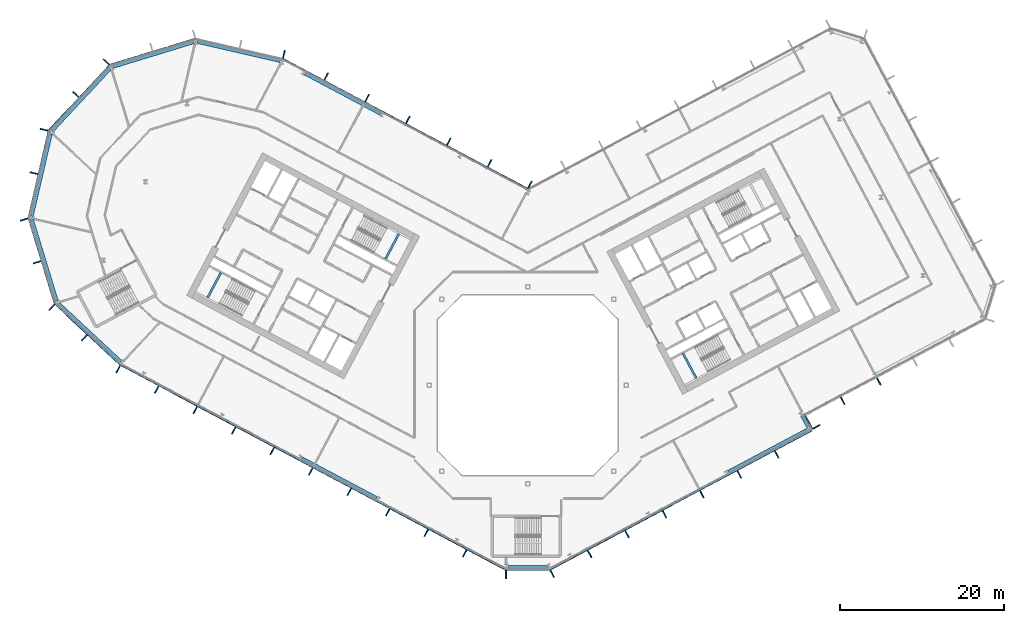
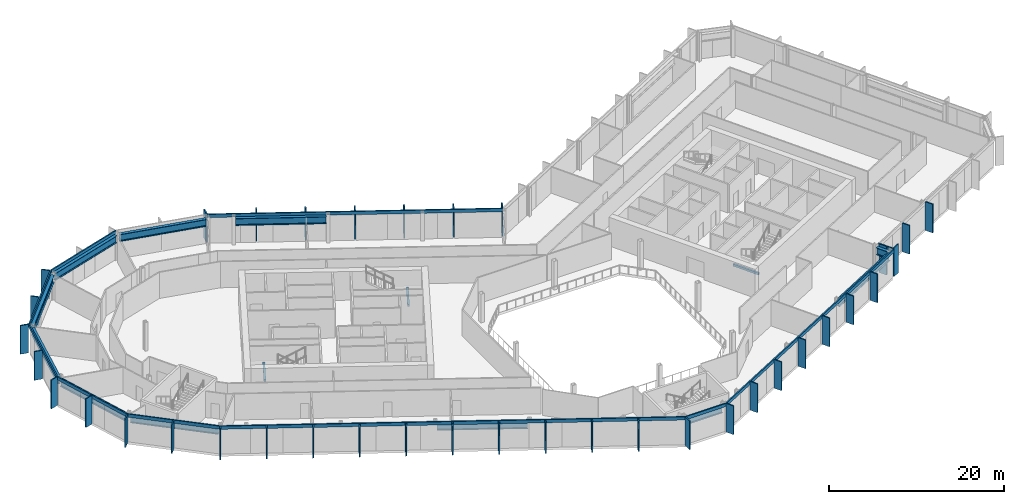
# One storey, part 9 of 28: 47 members, 14 beams, 12 elements without a shape of their own.
"""IFC4 building model written with IfcOpenShell, lengths in metres."""

from ifc_helpers import new_model, si_unit, direction, frame, origin, origin_2d, place, context, subcontext, project, spatial, rectangle, i_section, extrude, material, layer, layer_set, material_profile, profile_set, type_object, element, aggregate, save


model = new_model("IFC4")

# Units and contexts
model_context = context("Model", 3, precision=1e-05, world=origin(), true_north=direction((0.0, 1.0)))
body_context = subcontext(model_context, "Body", "Model", "MODEL_VIEW")
ifc_project = project(units=[si_unit("LENGTHUNIT", "METRE"), si_unit("AREAUNIT", "SQUARE_METRE"), si_unit("VOLUMEUNIT", "CUBIC_METRE"), si_unit("PLANEANGLEUNIT", "RADIAN"), si_unit("MASSUNIT", "GRAM", prefix="KILO")], contexts=[model_context])

# Site, building, storey
site_placement = place(None, origin())
site = spatial("IfcSite", under=ifc_project, at=site_placement, CompositionType="ELEMENT")
building_placement = place(site_placement, origin())
building = spatial("IfcBuilding", under=site, at=building_placement, Name="Cormorant Relay Tower", CompositionType="ELEMENT")
storey_placement = place(building_placement, frame((0.0, 0.0, 138.199951171875)))
storey = spatial("IfcBuildingStorey", under=building, at=storey_placement, Name="L28", CompositionType="ELEMENT", Elevation=138.199951171875)

# Curtain wall, member
ifc_material_1 = material(Name="Aluminium 6063-T6 anodised bronze", Category="aluminium")
ifc_layer = layer(ifc_material_1, 0.199951171875)
ifc_layer_set = layer_set([ifc_layer], Name="CW1 unitised bronze curtain wall with vertical fins")
curtain_wall_type = type_object("IfcCurtainWallType", Name="CW1 unitised bronze curtain wall with vertical fins", PredefinedType="NOTDEFINED", material=ifc_layer_set)
curtain_wall_1_placement = place(storey_placement, origin())
curtain_wall_1 = element("IfcCurtainWall", 1, at=curtain_wall_1_placement, inside=storey, type_object=curtain_wall_type, Name="CW1 curtain wall 1", PredefinedType="NOTDEFINED")
ifc_material_2 = material(Name="Aluminium 6063-T6 anodised bronze", Category="aluminium")
ifc_material_profile_1 = material_profile(ifc_material_2, rectangle(XDim=0.14990234375, YDim=1.0, at=origin_2d()), Name="AL 150x1000")
ifc_profile_set_1 = profile_set([ifc_material_profile_1], Name="Aluminium 6063-T6 anodised bronze")
member_type_1 = type_object("IfcMemberType", Name="CW1 bronze fin mullion 150 x 1000", PredefinedType="MULLION", material=ifc_profile_set_1)
member_1_placement = place(storey_placement, frame((-2.648681640625, -23.07568359375, 0.0), z_axis=(0.0, 0.0, 1.0), x_axis=(1.0, 0.0, 0.0)))
member_1 = element("IfcMember", 2, at=member_1_placement, type_object=member_type_1, Name="CW1 fin 1.1", PredefinedType="MULLION", context=body_context, shape_type="SweptSolid", body=[
    extrude(rectangle(XDim=0.14990234375, YDim=1.0, at=origin_2d()), origin(), (0.0, 0.0, 1.0), 4.0),
])

# Curtain wall, members
curtain_wall_2_placement = place(storey_placement, origin())
curtain_wall_2 = element("IfcCurtainWall", 3, at=curtain_wall_2_placement, inside=storey, type_object=curtain_wall_type, Name="CW1 curtain wall 2", PredefinedType="NOTDEFINED")
member_2_placement = place(storey_placement, frame((2.9775390625, -22.99365234375, 0.0), z_axis=(0.0, 0.0, 1.0), x_axis=(0.882947592859, 0.469471562786, 0.0)))
member_2 = element("IfcMember", 4, at=member_2_placement, type_object=member_type_1, Name="CW1 fin 2.1", PredefinedType="MULLION", context=body_context, shape_type="SweptSolid", body=[
    extrude(rectangle(XDim=0.14990234375, YDim=1.0, at=origin_2d()), origin(), (0.0, 0.0, 1.0), 4.0),
])
member_3_placement = place(storey_placement, frame((7.539306640625, -20.568115234375, 0.0), z_axis=(0.0, 0.0, 1.0), x_axis=(0.882947592859, 0.469471562786, 0.0)))
member_3 = element("IfcMember", 5, at=member_3_placement, type_object=member_type_1, Name="CW1 fin 2.2", PredefinedType="MULLION", context=body_context, shape_type="SweptSolid", body=[
    extrude(rectangle(XDim=0.14990234375, YDim=1.0, at=origin_2d()), origin(), (0.0, 0.0, 1.0), 4.0),
])
member_4_placement = place(storey_placement, frame((12.10107421875, -18.142578125, 0.0), z_axis=(0.0, 0.0, 1.0), x_axis=(0.882947592859, 0.469471562786, 0.0)))
member_4 = element("IfcMember", 6, at=member_4_placement, type_object=member_type_1, Name="CW1 fin 2.3", PredefinedType="MULLION", context=body_context, shape_type="SweptSolid", body=[
    extrude(rectangle(XDim=0.14990234375, YDim=1.0, at=origin_2d()), origin(), (0.0, 0.0, 1.0), 4.0),
])
member_5_placement = place(storey_placement, frame((16.662841796875, -15.717041015625, 0.0), z_axis=(0.0, 0.0, 1.0), x_axis=(0.882947592859, 0.469471562786, 0.0)))
member_5 = element("IfcMember", 7, at=member_5_placement, type_object=member_type_1, Name="CW1 fin 2.4", PredefinedType="MULLION", context=body_context, shape_type="SweptSolid", body=[
    extrude(rectangle(XDim=0.14990234375, YDim=1.0, at=origin_2d()), origin(), (0.0, 0.0, 1.0), 4.0),
])
member_6_placement = place(storey_placement, frame((21.224609375, -13.29150390625, 0.0), z_axis=(0.0, 0.0, 1.0), x_axis=(0.882947592859, 0.469471562786, 0.0)))
member_6 = element("IfcMember", 8, at=member_6_placement, type_object=member_type_1, Name="CW1 fin 2.5", PredefinedType="MULLION", context=body_context, shape_type="SweptSolid", body=[
    extrude(rectangle(XDim=0.14990234375, YDim=1.0, at=origin_2d()), origin(), (0.0, 0.0, 1.0), 4.0),
])
member_7_placement = place(storey_placement, frame((25.78662109375, -10.865966796875, 0.0), z_axis=(0.0, 0.0, 1.0), x_axis=(0.882947592859, 0.469471562786, 0.0)))
member_7 = element("IfcMember", 9, at=member_7_placement, type_object=member_type_1, Name="CW1 fin 2.6", PredefinedType="MULLION", context=body_context, shape_type="SweptSolid", body=[
    extrude(rectangle(XDim=0.14990234375, YDim=1.0, at=origin_2d()), origin(), (0.0, 0.0, 1.0), 4.0),
])
member_8_placement = place(storey_placement, frame((30.348388671875, -8.440185546875, 0.0), z_axis=(0.0, 0.0, 1.0), x_axis=(0.882947592859, 0.469471562786, 0.0)))
member_8 = element("IfcMember", 10, at=member_8_placement, type_object=member_type_1, Name="CW1 fin 2.7", PredefinedType="MULLION", context=body_context, shape_type="SweptSolid", body=[
    extrude(rectangle(XDim=0.14990234375, YDim=1.0, at=origin_2d()), origin(), (0.0, 0.0, 1.0), 4.0),
])

# Curtain wall, member
curtain_wall_3_placement = place(storey_placement, origin())
curtain_wall_3 = element("IfcCurtainWall", 11, at=curtain_wall_3_placement, inside=storey, type_object=curtain_wall_type, Name="CW1 curtain wall 3", PredefinedType="NOTDEFINED")
member_9_placement = place(storey_placement, frame((35.199462890625, -5.068115234375, 0.0), z_axis=(0.0, 0.0, 1.0), x_axis=(-0.469471562786, 0.882947592859, 0.0)))
member_9 = element("IfcMember", 12, at=member_9_placement, type_object=member_type_1, Name="CW1 fin 3.1", PredefinedType="MULLION", context=body_context, shape_type="SweptSolid", body=[
    extrude(rectangle(XDim=0.14990234375, YDim=1.0, at=origin_2d()), origin(), (0.0, 0.0, 1.0), 4.0),
])

# Curtain wall, members
curtain_wall_4_placement = place(storey_placement, origin())
curtain_wall_4 = element("IfcCurtainWall", 13, at=curtain_wall_4_placement, inside=storey, type_object=curtain_wall_type, Name="CW1 curtain wall 4", PredefinedType="NOTDEFINED")
member_10_placement = place(storey_placement, frame((34.037353515625, -4.213623046875, 0.0), z_axis=(0.0, 0.0, 1.0), x_axis=(0.882947592859, 0.469471562786, 0.0)))
member_10 = element("IfcMember", 14, at=member_10_placement, type_object=member_type_1, Name="CW1 fin 4.1", PredefinedType="MULLION", context=body_context, shape_type="SweptSolid", body=[
    extrude(rectangle(XDim=0.14990234375, YDim=1.0, at=origin_2d()), origin(), (0.0, 0.0, 1.0), 4.0),
])
member_11_placement = place(storey_placement, frame((38.385986328125, -1.901611328125, 0.0), z_axis=(0.0, 0.0, 1.0), x_axis=(0.882947592859, 0.469471562786, 0.0)))
member_11 = element("IfcMember", 15, at=member_11_placement, type_object=member_type_1, Name="CW1 fin 4.2", PredefinedType="MULLION", context=body_context, shape_type="SweptSolid", body=[
    extrude(rectangle(XDim=0.14990234375, YDim=1.0, at=origin_2d()), origin(), (0.0, 0.0, 1.0), 4.0),
])
member_12_placement = place(storey_placement, frame((42.800537109375, 0.44580078125, 0.0), z_axis=(0.0, 0.0, 1.0), x_axis=(0.882947592859, 0.469471562786, 0.0)))
member_12 = element("IfcMember", 16, at=member_12_placement, type_object=member_type_1, Name="CW1 fin 4.3", PredefinedType="MULLION", context=body_context, shape_type="SweptSolid", body=[
    extrude(rectangle(XDim=0.14990234375, YDim=1.0, at=origin_2d()), origin(), (0.0, 0.0, 1.0), 4.0),
])
aggregate(curtain_wall_4, [member_10, member_11, member_12])

curtain_wall_5_placement = place(storey_placement, origin())
curtain_wall_5 = element("IfcCurtainWall", 17, at=curtain_wall_5_placement, inside=storey, type_object=curtain_wall_type, Name="CW1 curtain wall 9", PredefinedType="NOTDEFINED")
member_13_placement = place(storey_placement, frame((0.262451171875, 24.437255859375, 0.0), z_axis=(0.0, 0.0, 1.0), x_axis=(-0.882947592859, 0.469471562786, 0.0)))
member_13 = element("IfcMember", 18, at=member_13_placement, type_object=member_type_1, Name="CW1 fin 9.1", PredefinedType="MULLION", context=body_context, shape_type="SweptSolid", body=[
    extrude(rectangle(XDim=0.14990234375, YDim=1.0, at=origin_2d()), origin(), (0.0, 0.0, 1.0), 4.0),
])
member_14_placement = place(storey_placement, frame((-4.650390625, 27.04931640625, 0.0), z_axis=(0.0, 0.0, 1.0), x_axis=(-0.882947592859, 0.469471562786, 0.0)))
member_14 = element("IfcMember", 19, at=member_14_placement, type_object=member_type_1, Name="CW1 fin 9.2", PredefinedType="MULLION", context=body_context, shape_type="SweptSolid", body=[
    extrude(rectangle(XDim=0.14990234375, YDim=1.0, at=origin_2d()), origin(), (0.0, 0.0, 1.0), 4.0),
])
member_15_placement = place(storey_placement, frame((-9.62939453125, 29.69677734375, 0.0), z_axis=(0.0, 0.0, 1.0), x_axis=(-0.882947592859, 0.469471562786, 0.0)))
member_15 = element("IfcMember", 20, at=member_15_placement, type_object=member_type_1, Name="CW1 fin 9.3", PredefinedType="MULLION", context=body_context, shape_type="SweptSolid", body=[
    extrude(rectangle(XDim=0.14990234375, YDim=1.0, at=origin_2d()), origin(), (0.0, 0.0, 1.0), 4.0),
])
member_16_placement = place(storey_placement, frame((-14.608154296875, 32.343994140625, 0.0), z_axis=(0.0, 0.0, 1.0), x_axis=(-0.882947592859, 0.469471562786, 0.0)))
member_16 = element("IfcMember", 21, at=member_16_placement, type_object=member_type_1, Name="CW1 fin 9.4", PredefinedType="MULLION", context=body_context, shape_type="SweptSolid", body=[
    extrude(rectangle(XDim=0.14990234375, YDim=1.0, at=origin_2d()), origin(), (0.0, 0.0, 1.0), 4.0),
])
member_17_placement = place(storey_placement, frame((-19.587158203125, 34.991455078125, 0.0), z_axis=(0.0, 0.0, 1.0), x_axis=(-0.882947592859, 0.469471562786, 0.0)))
member_17 = element("IfcMember", 22, at=member_17_placement, type_object=member_type_1, Name="CW1 fin 9.5", PredefinedType="MULLION", context=body_context, shape_type="SweptSolid", body=[
    extrude(rectangle(XDim=0.14990234375, YDim=1.0, at=origin_2d()), origin(), (0.0, 0.0, 1.0), 4.0),
])
member_18_placement = place(storey_placement, frame((-24.566162109375, 37.638916015625, 0.0), z_axis=(0.0, 0.0, 1.0), x_axis=(-0.882947592859, 0.469471562786, 0.0)))
member_18 = element("IfcMember", 23, at=member_18_placement, type_object=member_type_1, Name="CW1 fin 9.6", PredefinedType="MULLION", context=body_context, shape_type="SweptSolid", body=[
    extrude(rectangle(XDim=0.14990234375, YDim=1.0, at=origin_2d()), origin(), (0.0, 0.0, 1.0), 4.0),
])

# Curtain wall, member
curtain_wall_6_placement = place(storey_placement, origin())
curtain_wall_6 = element("IfcCurtainWall", 24, at=curtain_wall_6_placement, inside=storey, type_object=curtain_wall_type, Name="CW1 curtain wall 10", PredefinedType="NOTDEFINED")
member_19_placement = place(storey_placement, frame((-29.71630859375, 40.35009765625, 0.0), z_axis=(0.0, 0.0, 1.0), x_axis=(-0.974370064785, 0.224951054344, 0.0)))
member_19 = element("IfcMember", 25, at=member_19_placement, type_object=member_type_1, Name="CW1 fin 10.1", PredefinedType="MULLION", context=body_context, shape_type="SweptSolid", body=[
    extrude(rectangle(XDim=0.14990234375, YDim=1.0, at=origin_2d()), origin(), (0.0, 0.0, 1.0), 4.0),
])
aggregate(curtain_wall_6, [member_19])

# Curtain wall, members
curtain_wall_7_placement = place(storey_placement, origin())
curtain_wall_7 = element("IfcCurtainWall", 26, at=curtain_wall_7_placement, inside=storey, type_object=curtain_wall_type, Name="CW1 curtain wall 12", PredefinedType="NOTDEFINED")
member_20_placement = place(storey_placement, frame((-51.372802734375, 39.41259765625, 0.0), z_axis=(0.0, 0.0, 1.0), x_axis=(-0.681998360062, -0.731353701619, 0.0)))
member_20 = element("IfcMember", 27, at=member_20_placement, type_object=member_type_1, Name="CW1 fin 12.1", PredefinedType="MULLION", context=body_context, shape_type="SweptSolid", body=[
    extrude(rectangle(XDim=0.14990234375, YDim=1.0, at=origin_2d()), origin(), (0.0, 0.0, 1.0), 4.0),
])
member_21_placement = place(storey_placement, frame((-55.07958984375, 35.4375, 0.0), z_axis=(0.0, 0.0, 1.0), x_axis=(-0.681998360062, -0.731353701619, 0.0)))
member_21 = element("IfcMember", 28, at=member_21_placement, type_object=member_type_1, Name="CW1 fin 12.2", PredefinedType="MULLION", context=body_context, shape_type="SweptSolid", body=[
    extrude(rectangle(XDim=0.14990234375, YDim=1.0, at=origin_2d()), origin(), (0.0, 0.0, 1.0), 4.0),
])

curtain_wall_8_placement = place(storey_placement, origin())
curtain_wall_8 = element("IfcCurtainWall", 29, at=curtain_wall_8_placement, inside=storey, type_object=curtain_wall_type, Name="CW1 curtain wall 13", PredefinedType="NOTDEFINED")
member_22_placement = place(storey_placement, frame((-58.95654296875, 31.142578125, 0.0), z_axis=(0.0, 0.0, 1.0), x_axis=(-0.224951054344, -0.974370064785, 0.0)))
member_22 = element("IfcMember", 30, at=member_22_placement, type_object=member_type_1, Name="CW1 fin 13.1", PredefinedType="MULLION", context=body_context, shape_type="SweptSolid", body=[
    extrude(rectangle(XDim=0.14990234375, YDim=1.0, at=origin_2d()), origin(), (0.0, 0.0, 1.0), 4.0),
])
member_23_placement = place(storey_placement, frame((-60.17919921875, 25.8466796875, 0.0), z_axis=(0.0, 0.0, 1.0), x_axis=(-0.224951054344, -0.974370064785, 0.0)))
member_23 = element("IfcMember", 31, at=member_23_placement, type_object=member_type_1, Name="CW1 fin 13.2", PredefinedType="MULLION", context=body_context, shape_type="SweptSolid", body=[
    extrude(rectangle(XDim=0.14990234375, YDim=1.0, at=origin_2d()), origin(), (0.0, 0.0, 1.0), 4.0),
])

curtain_wall_9_placement = place(storey_placement, origin())
curtain_wall_9 = element("IfcCurtainWall", 32, at=curtain_wall_9_placement, inside=storey, type_object=curtain_wall_type, Name="CW1 curtain wall 14", PredefinedType="NOTDEFINED")
member_24_placement = place(storey_placement, frame((-61.389404296875, 20.188720703125, 0.0), z_axis=(0.0, 0.0, 1.0), x_axis=(0.292371704723, -0.956304755963, 0.0)))
member_24 = element("IfcMember", 33, at=member_24_placement, type_object=member_type_1, Name="CW1 fin 14.1", PredefinedType="MULLION", context=body_context, shape_type="SweptSolid", body=[
    extrude(rectangle(XDim=0.14990234375, YDim=1.0, at=origin_2d()), origin(), (0.0, 0.0, 1.0), 4.0),
])
member_25_placement = place(storey_placement, frame((-59.80029296875, 14.990966796875, 0.0), z_axis=(0.0, 0.0, 1.0), x_axis=(0.292371704723, -0.956304755963, 0.0)))
member_25 = element("IfcMember", 34, at=member_25_placement, type_object=member_type_1, Name="CW1 fin 14.2", PredefinedType="MULLION", context=body_context, shape_type="SweptSolid", body=[
    extrude(rectangle(XDim=0.14990234375, YDim=1.0, at=origin_2d()), origin(), (0.0, 0.0, 1.0), 4.0),
])

curtain_wall_10_placement = place(storey_placement, origin())
curtain_wall_10 = element("IfcCurtainWall", 35, at=curtain_wall_10_placement, inside=storey, type_object=curtain_wall_type, Name="CW1 curtain wall 15", PredefinedType="NOTDEFINED")
member_26_placement = place(storey_placement, frame((-58.01904296875, 9.486083984375, 0.0), z_axis=(0.0, 0.0, 1.0), x_axis=(0.731353701619, -0.681998360062, 0.0)))
member_26 = element("IfcMember", 36, at=member_26_placement, type_object=member_type_1, Name="CW1 fin 15.1", PredefinedType="MULLION", context=body_context, shape_type="SweptSolid", body=[
    extrude(rectangle(XDim=0.14990234375, YDim=1.0, at=origin_2d()), origin(), (0.0, 0.0, 1.0), 4.0),
])
member_27_placement = place(storey_placement, frame((-54.0439453125, 5.779296875, 0.0), z_axis=(0.0, 0.0, 1.0), x_axis=(0.731353701619, -0.681998360062, 0.0)))
member_27 = element("IfcMember", 37, at=member_27_placement, type_object=member_type_1, Name="CW1 fin 15.2", PredefinedType="MULLION", context=body_context, shape_type="SweptSolid", body=[
    extrude(rectangle(XDim=0.14990234375, YDim=1.0, at=origin_2d()), origin(), (0.0, 0.0, 1.0), 4.0),
])

curtain_wall_11_placement = place(storey_placement, origin())
curtain_wall_11 = element("IfcCurtainWall", 38, at=curtain_wall_11_placement, inside=storey, type_object=curtain_wall_type, Name="CW1 curtain wall 16", PredefinedType="NOTDEFINED")
member_28_placement = place(storey_placement, frame((-49.920166015625, 1.96630859375, 0.0), z_axis=(0.0, 0.0, 1.0), x_axis=(0.882947592859, -0.469471562786, 0.0)))
member_28 = element("IfcMember", 39, at=member_28_placement, type_object=member_type_1, Name="CW1 fin 16.1", PredefinedType="MULLION", context=body_context, shape_type="SweptSolid", body=[
    extrude(rectangle(XDim=0.14990234375, YDim=1.0, at=origin_2d()), origin(), (0.0, 0.0, 1.0), 4.0),
])
member_29_placement = place(storey_placement, frame((-45.225830078125, -0.52978515625, 0.0), z_axis=(0.0, 0.0, 1.0), x_axis=(0.882947592859, -0.469471562786, 0.0)))
member_29 = element("IfcMember", 40, at=member_29_placement, type_object=member_type_1, Name="CW1 fin 16.2", PredefinedType="MULLION", context=body_context, shape_type="SweptSolid", body=[
    extrude(rectangle(XDim=0.14990234375, YDim=1.0, at=origin_2d()), origin(), (0.0, 0.0, 1.0), 4.0),
])
member_30_placement = place(storey_placement, frame((-40.531494140625, -3.025634765625, 0.0), z_axis=(0.0, 0.0, 1.0), x_axis=(0.882947592859, -0.469471562786, 0.0)))
member_30 = element("IfcMember", 41, at=member_30_placement, type_object=member_type_1, Name="CW1 fin 16.3", PredefinedType="MULLION", context=body_context, shape_type="SweptSolid", body=[
    extrude(rectangle(XDim=0.14990234375, YDim=1.0, at=origin_2d()), origin(), (0.0, 0.0, 1.0), 4.0),
])
member_31_placement = place(storey_placement, frame((-35.83740234375, -5.521728515625, 0.0), z_axis=(0.0, 0.0, 1.0), x_axis=(0.882947592859, -0.469471562786, 0.0)))
member_31 = element("IfcMember", 42, at=member_31_placement, type_object=member_type_1, Name="CW1 fin 16.4", PredefinedType="MULLION", context=body_context, shape_type="SweptSolid", body=[
    extrude(rectangle(XDim=0.14990234375, YDim=1.0, at=origin_2d()), origin(), (0.0, 0.0, 1.0), 4.0),
])
member_32_placement = place(storey_placement, frame((-31.14306640625, -8.017578125, 0.0), z_axis=(0.0, 0.0, 1.0), x_axis=(0.882947592859, -0.469471562786, 0.0)))
member_32 = element("IfcMember", 43, at=member_32_placement, type_object=member_type_1, Name="CW1 fin 16.5", PredefinedType="MULLION", context=body_context, shape_type="SweptSolid", body=[
    extrude(rectangle(XDim=0.14990234375, YDim=1.0, at=origin_2d()), origin(), (0.0, 0.0, 1.0), 4.0),
])
member_33_placement = place(storey_placement, frame((-26.44873046875, -10.513671875, 0.0), z_axis=(0.0, 0.0, 1.0), x_axis=(0.882947592859, -0.469471562786, 0.0)))
member_33 = element("IfcMember", 44, at=member_33_placement, type_object=member_type_1, Name="CW1 fin 16.6", PredefinedType="MULLION", context=body_context, shape_type="SweptSolid", body=[
    extrude(rectangle(XDim=0.14990234375, YDim=1.0, at=origin_2d()), origin(), (0.0, 0.0, 1.0), 4.0),
])
member_34_placement = place(storey_placement, frame((-21.754638671875, -13.009765625, 0.0), z_axis=(0.0, 0.0, 1.0), x_axis=(0.882947592859, -0.469471562786, 0.0)))
member_34 = element("IfcMember", 45, at=member_34_placement, type_object=member_type_1, Name="CW1 fin 16.7", PredefinedType="MULLION", context=body_context, shape_type="SweptSolid", body=[
    extrude(rectangle(XDim=0.14990234375, YDim=1.0, at=origin_2d()), origin(), (0.0, 0.0, 1.0), 4.0),
])
member_35_placement = place(storey_placement, frame((-17.060302734375, -15.505615234375, 0.0), z_axis=(0.0, 0.0, 1.0), x_axis=(0.882947592859, -0.469471562786, 0.0)))
member_35 = element("IfcMember", 46, at=member_35_placement, type_object=member_type_1, Name="CW1 fin 16.8", PredefinedType="MULLION", context=body_context, shape_type="SweptSolid", body=[
    extrude(rectangle(XDim=0.14990234375, YDim=1.0, at=origin_2d()), origin(), (0.0, 0.0, 1.0), 4.0),
])
member_36_placement = place(storey_placement, frame((-12.365966796875, -18.001708984375, 0.0), z_axis=(0.0, 0.0, 1.0), x_axis=(0.882947592859, -0.469471562786, 0.0)))
member_36 = element("IfcMember", 47, at=member_36_placement, type_object=member_type_1, Name="CW1 fin 16.9", PredefinedType="MULLION", context=body_context, shape_type="SweptSolid", body=[
    extrude(rectangle(XDim=0.14990234375, YDim=1.0, at=origin_2d()), origin(), (0.0, 0.0, 1.0), 4.0),
])
member_37_placement = place(storey_placement, frame((-7.671630859375, -20.49755859375, 0.0), z_axis=(0.0, 0.0, 1.0), x_axis=(0.882947592859, -0.469471562786, 0.0)))
member_37 = element("IfcMember", 48, at=member_37_placement, type_object=member_type_1, Name="CW1 fin 16.10", PredefinedType="MULLION", context=body_context, shape_type="SweptSolid", body=[
    extrude(rectangle(XDim=0.14990234375, YDim=1.0, at=origin_2d()), origin(), (0.0, 0.0, 1.0), 4.0),
])

# Member
ifc_material_3 = material(Name="Aluminium 6063-T6 anodised bronze", Category="aluminium")
ifc_material_profile_2 = material_profile(ifc_material_3, rectangle(XDim=0.159912109375, YDim=0.449951171875, at=origin_2d()), Name="AL 160x450")
ifc_profile_set_2 = profile_set([ifc_material_profile_2], Name="Aluminium 6063-T6 anodised bronze")
member_type_2 = type_object("IfcMemberType", Name="CW1 bronze transom 160 x 450", PredefinedType="USERDEFINED", material=ifc_profile_set_2)
member_38_placement = place(storey_placement, frame((-2.648681640625, -22.49560546875, 3.775146484375), z_axis=(1.0, 0.0, 0.0), x_axis=(0.0, 1.0, 0.0)))
member_38 = element("IfcMember", 49, at=member_38_placement, type_object=member_type_2, Name="CW1 transom 1", ObjectType="TRANSOM", PredefinedType="USERDEFINED", context=body_context, shape_type="SweptSolid", body=[
    extrude(rectangle(XDim=0.159912109375, YDim=0.449951171875, at=origin_2d()), origin(), (0.0, 0.0, 1.0), 5.29736328125),
])

aggregate(curtain_wall_1, [member_1, member_38])

member_39_placement = place(storey_placement, frame((2.705078125, -22.4814453125, 3.775146484375), z_axis=(0.882948899141, 0.469469106018, 0.0), x_axis=(-0.469469106018, 0.882948899141, 0.0)))
member_39 = element("IfcMember", 50, at=member_39_placement, type_object=member_type_2, Name="CW1 transom 2", ObjectType="TRANSOM", PredefinedType="USERDEFINED", context=body_context, shape_type="SweptSolid", body=[
    extrude(rectangle(XDim=0.159912109375, YDim=0.449951171875, at=origin_2d()), origin(), (0.0, 0.0, 1.0), 36.165771484375),
])

aggregate(curtain_wall_2, [member_2, member_3, member_4, member_5, member_6, member_7, member_8, member_39])

member_40_placement = place(storey_placement, frame((34.6875, -5.34033203125, 3.775146484375), z_axis=(-0.469580583036, 0.88288961713, 0.0), x_axis=(-0.88288961713, -0.469580583036, 0.0)))
member_40 = element("IfcMember", 51, at=member_40_placement, type_object=member_type_2, Name="CW1 transom 3", ObjectType="TRANSOM", PredefinedType="USERDEFINED", context=body_context, shape_type="SweptSolid", body=[
    extrude(rectangle(XDim=0.159912109375, YDim=0.449951171875, at=origin_2d()), origin(), (0.0, 0.0, 1.0), 2.0),
])

aggregate(curtain_wall_3, [member_9, member_40])

member_41_placement = place(storey_placement, frame((0.056396484375, 23.889892578125, 3.775146484375), z_axis=(-0.882946280328, 0.46947403129, 0.0), x_axis=(-0.46947403129, -0.882946280328, 0.0)))
member_41 = element("IfcMember", 52, at=member_41_placement, type_object=member_type_2, Name="CW1 transom 9", ObjectType="TRANSOM", PredefinedType="USERDEFINED", context=body_context, shape_type="SweptSolid", body=[
    extrude(rectangle(XDim=0.159912109375, YDim=0.449951171875, at=origin_2d()), origin(), (0.0, 0.0, 1.0), 33.834228515625),
])

aggregate(curtain_wall_5, [member_13, member_14, member_15, member_16, member_17, member_18, member_41])

# Curtain wall, member
curtain_wall_12_placement = place(storey_placement, origin())
curtain_wall_12 = element("IfcCurtainWall", 53, at=curtain_wall_12_placement, inside=storey, type_object=curtain_wall_type, Name="CW1 curtain wall 11", PredefinedType="NOTDEFINED")
member_42_placement = place(storey_placement, frame((-40.50048828125, 42.228271484375, 3.775146484375), z_axis=(-0.956304833932, -0.292371449698, 0.0), x_axis=(0.292371449698, -0.956304833932, 0.0)))
member_42 = element("IfcMember", 54, at=member_42_placement, type_object=member_type_2, Name="CW1 transom 11", ObjectType="TRANSOM", PredefinedType="USERDEFINED", context=body_context, shape_type="SweptSolid", body=[
    extrude(rectangle(XDim=0.159912109375, YDim=0.449951171875, at=origin_2d()), origin(), (0.0, 0.0, 1.0), 10.87060546875),
])
aggregate(curtain_wall_12, [member_42])

# Member
member_43_placement = place(storey_placement, frame((-50.94873046875, 39.01708984375, 3.775146484375), z_axis=(-0.681993299437, -0.731358420696, 0.0), x_axis=(0.731358420696, -0.681993299437, 0.0)))
member_43 = element("IfcMember", 55, at=member_43_placement, type_object=member_type_2, Name="CW1 transom 12", ObjectType="TRANSOM", PredefinedType="USERDEFINED", context=body_context, shape_type="SweptSolid", body=[
    extrude(rectangle(XDim=0.159912109375, YDim=0.449951171875, at=origin_2d()), origin(), (0.0, 0.0, 1.0), 10.870361328125),
])

aggregate(curtain_wall_7, [member_20, member_21, member_43])

member_44_placement = place(storey_placement, frame((-58.3916015625, 31.01220703125, 3.775146484375), z_axis=(-0.22495136131, -0.974369993916, 0.0), x_axis=(0.974369993916, -0.22495136131, 0.0)))
member_44 = element("IfcMember", 56, at=member_44_placement, type_object=member_type_2, Name="CW1 transom 13", ObjectType="TRANSOM", PredefinedType="USERDEFINED", context=body_context, shape_type="SweptSolid", body=[
    extrude(rectangle(XDim=0.159912109375, YDim=0.449951171875, at=origin_2d()), origin(), (0.0, 0.0, 1.0), 10.870361328125),
])

aggregate(curtain_wall_8, [member_22, member_23, member_44])

member_45_placement = place(storey_placement, frame((-60.834716796875, 20.358154296875, 3.775146484375), z_axis=(0.292377729282, -0.95630291405, 0.0), x_axis=(0.95630291405, 0.292377729282, 0.0)))
member_45 = element("IfcMember", 57, at=member_45_placement, type_object=member_type_2, Name="CW1 transom 14", ObjectType="TRANSOM", PredefinedType="USERDEFINED", context=body_context, shape_type="SweptSolid", body=[
    extrude(rectangle(XDim=0.159912109375, YDim=0.449951171875, at=origin_2d()), origin(), (0.0, 0.0, 1.0), 10.870361328125),
])

aggregate(curtain_wall_9, [member_24, member_25, member_45])

member_46_placement = place(storey_placement, frame((-57.62353515625, 9.91015625, 3.775146484375), z_axis=(0.731358420696, -0.681993299437, 0.0), x_axis=(0.681993299437, 0.731358420696, 0.0)))
member_46 = element("IfcMember", 58, at=member_46_placement, type_object=member_type_2, Name="CW1 transom 15", ObjectType="TRANSOM", PredefinedType="USERDEFINED", context=body_context, shape_type="SweptSolid", body=[
    extrude(rectangle(XDim=0.159912109375, YDim=0.449951171875, at=origin_2d()), origin(), (0.0, 0.0, 1.0), 10.870361328125),
])

aggregate(curtain_wall_10, [member_26, member_27, member_46])

member_47_placement = place(storey_placement, frame((-49.64794921875, 2.478515625, 3.775146484375), z_axis=(0.882947642542, -0.469471469346, 0.0), x_axis=(0.469471469346, 0.882947642542, 0.0)))
member_47 = element("IfcMember", 59, at=member_47_placement, type_object=member_type_2, Name="CW1 transom 16", ObjectType="TRANSOM", PredefinedType="USERDEFINED", context=body_context, shape_type="SweptSolid", body=[
    extrude(rectangle(XDim=0.159912109375, YDim=0.449951171875, at=origin_2d()), origin(), (0.0, 0.0, 1.0), 53.166015625),
])

aggregate(curtain_wall_11, [member_28, member_29, member_30, member_31, member_32, member_33, member_34, member_35, member_36, member_37, member_47])

# Beams
ifc_material_4 = material(Name="Steel ASTM A992 (Fy 345 MPa)", Category="steel")
ifc_material_profile_3 = material_profile(ifc_material_4, i_section(OverallWidth=0.4013671875, OverallDepth=1.000732421875, WebThickness=0.01904296875, FlangeThickness=0.0361328125, FilletRadius=0.02978515625, at=origin_2d()), Name="W1000x371")
ifc_profile_set_3 = profile_set([ifc_material_profile_3], Name="Steel ASTM A992 (Fy 345 MPa)")
beam_type_1 = type_object("IfcBeamType", Name="Spandrel W1000x371", PredefinedType="SPANDREL", material=ifc_profile_set_3)
beam_1_placement = place(storey_placement, frame((-2.35888671875, -22.1748046875, 3.1396484375), z_axis=(1.0, 0.0, 0.0), x_axis=(0.0, 1.0, 0.0)))
element("IfcBeam", 60, at=beam_1_placement, inside=storey, type_object=beam_type_1, Name="Spandrel beam L28-001", PredefinedType="SPANDREL", context=body_context, shape_type="SweptSolid", body=[
    extrude(i_section(OverallWidth=0.4013671875, OverallDepth=1.000732421875, WebThickness=0.01904296875, FlangeThickness=0.0361328125, FilletRadius=0.02978515625, at=origin_2d()), origin(), (0.0, 0.0, 1.0), 4.748046875),
])
beam_2_placement = place(storey_placement, frame((24.427001953125, -10.568603515625, 3.1396484375), z_axis=(0.88295524081, 0.469457178799, 0.0), x_axis=(-0.469457178799, 0.88295524081, 0.0)))
element("IfcBeam", 61, at=beam_2_placement, inside=storey, type_object=beam_type_1, Name="Spandrel beam L28-002", PredefinedType="SPANDREL", context=body_context, shape_type="SweptSolid", body=[
    extrude(i_section(OverallWidth=0.4013671875, OverallDepth=1.000732421875, WebThickness=0.01904296875, FlangeThickness=0.0361328125, FilletRadius=0.02978515625, at=origin_2d()), origin(), (0.0, 0.0, 1.0), 10.915771484375),
])
beam_3_placement = place(storey_placement, frame((34.191650390625, -5.091064453125, 3.1396484375), z_axis=(-0.469471937736, 0.882947393494, 0.0), x_axis=(-0.882947393494, -0.469471937736, 0.0)))
element("IfcBeam", 62, at=beam_3_placement, inside=storey, type_object=beam_type_1, Name="Spandrel beam L28-003", PredefinedType="SPANDREL", context=body_context, shape_type="SweptSolid", body=[
    extrude(i_section(OverallWidth=0.4013671875, OverallDepth=1.000732421875, WebThickness=0.01904296875, FlangeThickness=0.0361328125, FilletRadius=0.02978515625, at=origin_2d()), origin(), (0.0, 0.0, 1.0), 1.521728515625),
])
beam_4_placement = place(storey_placement, frame((-17.964599609375, 33.108642578125, 3.1396484375), z_axis=(-0.882946180893, 0.469474218299, 0.0), x_axis=(-0.469474218299, -0.882946180893, 0.0)))
element("IfcBeam", 63, at=beam_4_placement, inside=storey, type_object=beam_type_1, Name="Spandrel beam L28-009", PredefinedType="SPANDREL", context=body_context, shape_type="SweptSolid", body=[
    extrude(i_section(OverallWidth=0.4013671875, OverallDepth=1.000732421875, WebThickness=0.01904296875, FlangeThickness=0.0361328125, FilletRadius=0.02978515625, at=origin_2d()), origin(), (0.0, 0.0, 1.0), 10.388671875),
])
beam_5_placement = place(storey_placement, frame((-30.162109375, 39.52880859375, 3.1396484375), z_axis=(-0.974371727644, 0.224943851591, 0.0), x_axis=(-0.224943851591, -0.974371727644, 0.0)))
element("IfcBeam", 64, at=beam_5_placement, inside=storey, type_object=beam_type_1, Name="Spandrel beam L28-010", PredefinedType="SPANDREL", context=body_context, shape_type="SweptSolid", body=[
    extrude(i_section(OverallWidth=0.4013671875, OverallDepth=1.000732421875, WebThickness=0.01904296875, FlangeThickness=0.0361328125, FilletRadius=0.02978515625, at=origin_2d()), origin(), (0.0, 0.0, 1.0), 10.3583984375),
])
beam_6_placement = place(storey_placement, frame((-40.69140625, 41.834716796875, 3.1396484375), z_axis=(-0.95629714744, -0.292396589921, 0.0), x_axis=(0.292396589921, -0.95629714744, 0.0)))
element("IfcBeam", 65, at=beam_6_placement, inside=storey, type_object=beam_type_1, Name="Spandrel beam L28-011", PredefinedType="SPANDREL", context=body_context, shape_type="SweptSolid", body=[
    extrude(i_section(OverallWidth=0.4013671875, OverallDepth=1.000732421875, WebThickness=0.01904296875, FlangeThickness=0.0361328125, FilletRadius=0.02978515625, at=origin_2d()), origin(), (0.0, 0.0, 1.0), 10.31103515625),
])
beam_7_placement = place(storey_placement, frame((-50.917236328125, 38.58056640625, 3.1396484375), z_axis=(-0.682003508788, -0.731348900321, 0.0), x_axis=(0.731348900321, -0.682003508788, 0.0)))
element("IfcBeam", 66, at=beam_7_placement, inside=storey, type_object=beam_type_1, Name="Spandrel beam L28-012", PredefinedType="SPANDREL", context=body_context, shape_type="SweptSolid", body=[
    extrude(i_section(OverallWidth=0.4013671875, OverallDepth=1.000732421875, WebThickness=0.01904296875, FlangeThickness=0.0361328125, FilletRadius=0.02978515625, at=origin_2d()), origin(), (0.0, 0.0, 1.0), 10.310791015625),
])
for number, where, z_axis, x_axis, name in (
    (67, (-58.14599609375, 30.64990234375, 3.1396484375), (-0.224951162328, -0.974370039855, 0.0), (0.974370039855, -0.224951162328, 0.0), "Spandrel beam L28-013"),
    (68, (-60.44091796875, 20.16748046875, 3.1396484375), (0.292366522639, -0.95630634027, 0.0), (0.95630634027, 0.292366522639, 0.0), "Spandrel beam L28-014"),
):
    element("IfcBeam", number, at=place(storey_placement, frame(where, z_axis=z_axis, x_axis=x_axis)), inside=storey, type_object=beam_type_1, Name=name, PredefinedType="SPANDREL", context=body_context, shape_type="SweptSolid", body=[
        extrude(i_section(OverallWidth=0.4013671875, OverallDepth=1.000732421875, WebThickness=0.01904296875, FlangeThickness=0.0361328125, FilletRadius=0.02978515625, at=origin_2d()), origin(), (0.0, 0.0, 1.0), 10.310302734375),
    ])
beam_8_placement = place(storey_placement, frame((-57.1875, 9.94189453125, 3.1396484375), z_axis=(0.731351225545, -0.682001015317, 0.0), x_axis=(0.682001015317, 0.731351225545, 0.0)))
element("IfcBeam", 69, at=beam_8_placement, inside=storey, type_object=beam_type_1, Name="Spandrel beam L28-015", PredefinedType="SPANDREL", context=body_context, shape_type="SweptSolid", body=[
    extrude(i_section(OverallWidth=0.4013671875, OverallDepth=1.000732421875, WebThickness=0.01904296875, FlangeThickness=0.0361328125, FilletRadius=0.02978515625, at=origin_2d()), origin(), (0.0, 0.0, 1.0), 10.33935546875),
])
beam_9_placement = place(storey_placement, frame((-27.595458984375, -8.8837890625, 3.1396484375), z_axis=(0.882941619164, -0.4694827975, 0.0), x_axis=(0.4694827975, 0.882941619164, 0.0)))
element("IfcBeam", 70, at=beam_9_placement, inside=storey, type_object=beam_type_1, Name="Spandrel beam L28-016", PredefinedType="SPANDREL", context=body_context, shape_type="SweptSolid", body=[
    extrude(i_section(OverallWidth=0.4013671875, OverallDepth=1.000732421875, WebThickness=0.01904296875, FlangeThickness=0.0361328125, FilletRadius=0.02978515625, at=origin_2d()), origin(), (0.0, 0.0, 1.0), 10.388916015625),
])
ifc_material_5 = material(Name="Concrete 50 MPa", Category="concrete")
ifc_material_profile_4 = material_profile(ifc_material_5, rectangle(XDim=0.25, YDim=0.300048828125, at=origin_2d()), Name="RC 250x300")
ifc_profile_set_4 = profile_set([ifc_material_profile_4], Name="Concrete 50 MPa")
beam_type_2 = type_object("IfcBeamType", Name="Stair landing ledge beam 250x300", PredefinedType="BEAM", material=ifc_profile_set_4)
for number, where, z_axis, x_axis, name in (
    (71, (-17.338623046875, 15.3916015625, 1.650146484375), (0.469463917486, 0.882951657895, 0.0), (-0.882951657895, 0.469463917486, 0.0), "A1 landing ledge beam"),
    (72, (-37.404052734375, 13.715576171875, 1.650146484375), (-0.469463917486, -0.882951657895, 0.0), (0.882951657895, -0.469463917486, 0.0), "A2 landing ledge beam"),
    (73, (18.924072265625, 3.8896484375, 1.650146484375), (0.469463917486, -0.882951657895, 0.0), (0.882951657895, 0.469463917486, 0.0), "B1 landing ledge beam"),
):
    element("IfcBeam", number, at=place(storey_placement, frame(where, z_axis=z_axis, x_axis=x_axis)), inside=storey, type_object=beam_type_2, Name=name, PredefinedType="BEAM", context=body_context, shape_type="SweptSolid", body=[
        extrude(rectangle(XDim=0.25, YDim=0.300048828125, at=origin_2d()), origin(), (0.0, 0.0, 1.0), 3.449951171875),
    ])

save(model, "model.ifc")
